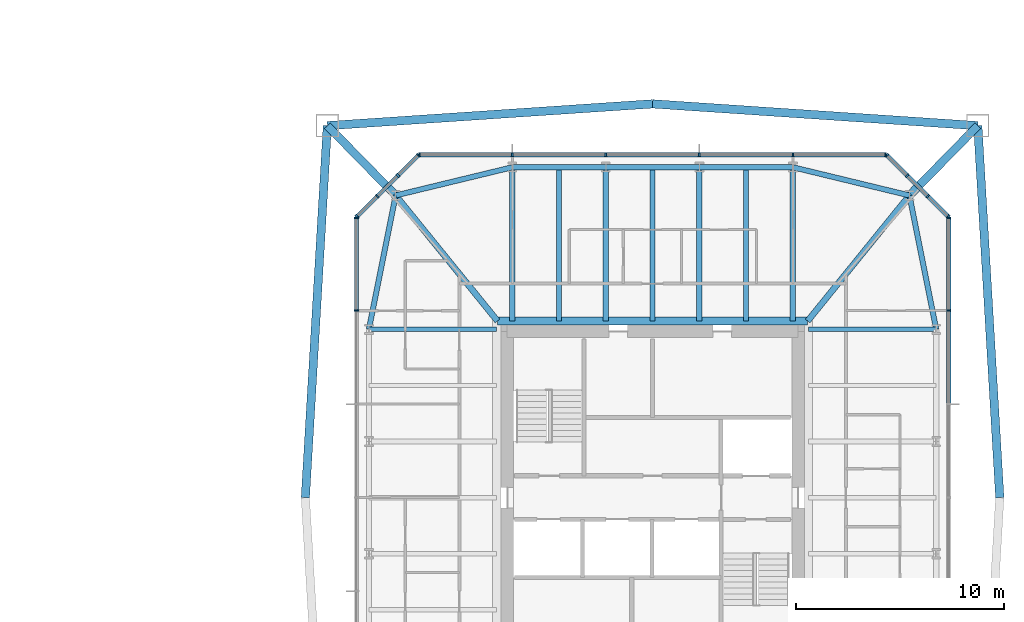
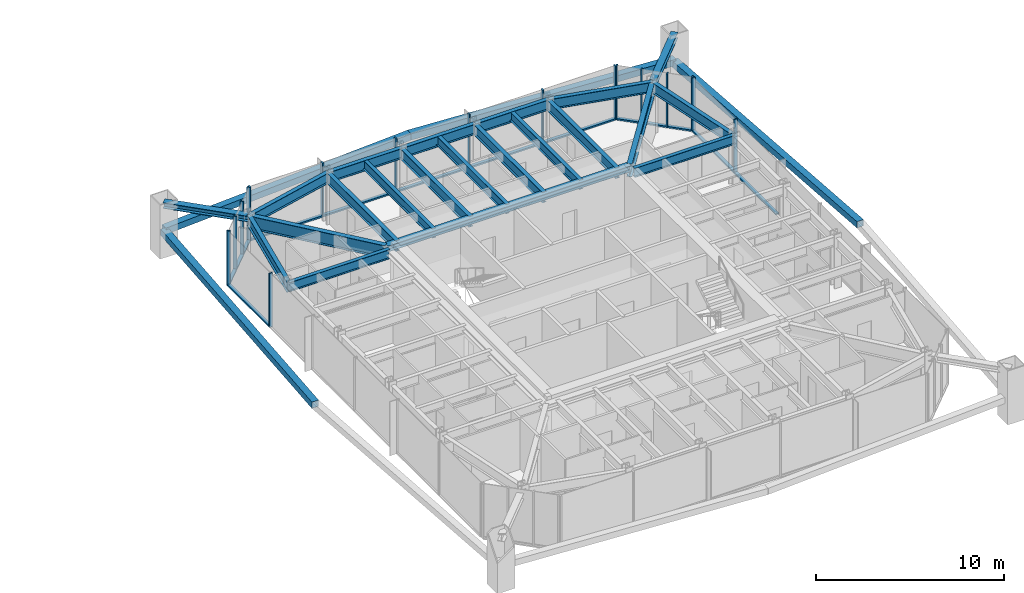
# One storey, part 10 of 25: 38 members, 19 beams, 5 elements without a shape of their own.
"""IFC4 building model written with IfcOpenShell, lengths in metres."""

from ifc_helpers import new_model, si_unit, direction, frame, origin, origin_2d, place, context, subcontext, project, spatial, rectangle, hollow_rectangle, i_section, extrude, material, material_profile, profile_set, type_object, element, aggregate, save


model = new_model("IFC4")

# Units and contexts
model_context = context("Model", 3, precision=1e-05, world=origin(), true_north=direction((0.0, 1.0)))
body_context = subcontext(model_context, "Body", "Model", "MODEL_VIEW")
ifc_project = project(units=[si_unit("LENGTHUNIT", "METRE"), si_unit("AREAUNIT", "SQUARE_METRE"), si_unit("VOLUMEUNIT", "CUBIC_METRE"), si_unit("PLANEANGLEUNIT", "RADIAN"), si_unit("MASSUNIT", "GRAM", prefix="KILO")], contexts=[model_context])

# Site, building, storey
site_placement = place(None, origin())
site = spatial("IfcSite", under=ifc_project, at=site_placement, CompositionType="ELEMENT")
building_placement = place(site_placement, origin())
building = spatial("IfcBuilding", under=site, at=building_placement, Name="Iwan Alto Co-Living Towers", CompositionType="ELEMENT")
storey_placement = place(building_placement, frame((0.0, 0.0, 87.5)))
storey = spatial("IfcBuildingStorey", under=building, at=storey_placement, Name="L23", CompositionType="ELEMENT", Elevation=87.5)

# Curtain wall, members
ifc_material_1 = material(Name="Bronze aluminium unitised frame", Category="aluminium")
curtain_wall_type_1 = type_object("IfcCurtainWallType", Name="CURTAIN WALL CW-C", PredefinedType="NOTDEFINED", material=ifc_material_1)
curtain_wall_1_placement = place(storey_placement, origin())
curtain_wall_1 = element("IfcCurtainWall", 1, at=curtain_wall_1_placement, inside=storey, type_object=curtain_wall_type_1, Name="T2 curtain wall E L23", PredefinedType="NOTDEFINED")
ifc_material_2 = material(Name="Aluminium 6063-T6 bronze anodised", Category="aluminium")
ifc_material_profile_1 = material_profile(ifc_material_2, rectangle(XDim=0.199951171875, YDim=0.080078125, at=origin_2d()), Name="AL 80X200")
ifc_profile_set_1 = profile_set([ifc_material_profile_1], Name="Aluminium 6063-T6 bronze anodised")
member_type_1 = type_object("IfcMemberType", Name="CW-C MULLION 80X200", PredefinedType="MULLION", material=ifc_profile_set_1)
member_1_placement = place(storey_placement, frame((77.25, 9.0, 0.0), z_axis=(0.0, 0.0, 1.0), x_axis=(-1.0, 0.0, 0.0)))
member_1 = element("IfcMember", 2, at=member_1_placement, type_object=member_type_1, Name="CW-C mullion 6", PredefinedType="MULLION", context=body_context, shape_type="SweptSolid", body=[
    extrude(rectangle(XDim=0.199951171875, YDim=0.080078125, at=origin_2d()), origin(), (0.0, 0.0, 1.0), 3.5),
])
member_2_placement = place(storey_placement, frame((77.25, 13.4599609375, 0.0), z_axis=(0.0, 0.0, 1.0), x_axis=(-1.0, 0.0, 0.0)))
member_2 = element("IfcMember", 3, at=member_2_placement, type_object=member_type_1, Name="CW-C mullion 7", PredefinedType="MULLION", context=body_context, shape_type="SweptSolid", body=[
    extrude(rectangle(XDim=0.199951171875, YDim=0.080078125, at=origin_2d()), origin(), (0.0, 0.0, 1.0), 3.5),
])

curtain_wall_2_placement = place(storey_placement, origin())
curtain_wall_2 = element("IfcCurtainWall", 4, at=curtain_wall_2_placement, inside=storey, type_object=curtain_wall_type_1, Name="T2 curtain wall N L23", PredefinedType="NOTDEFINED")
member_3_placement = place(storey_placement, frame((74.2099609375, 16.5, 0.0), z_axis=(0.0, 0.0, 1.0), x_axis=(0.0, -1.0, 0.0)))
member_3 = element("IfcMember", 5, at=member_3_placement, type_object=member_type_1, Name="CW-C mullion 1", PredefinedType="MULLION", context=body_context, shape_type="SweptSolid", body=[
    extrude(rectangle(XDim=0.199951171875, YDim=0.080078125, at=origin_2d()), origin(), (0.0, 0.0, 1.0), 3.5),
])
member_4_placement = place(storey_placement, frame((69.75, 16.5, 0.0), z_axis=(0.0, 0.0, 1.0), x_axis=(0.0, -1.0, 0.0)))
member_4 = element("IfcMember", 6, at=member_4_placement, type_object=member_type_1, Name="CW-C mullion 2", PredefinedType="MULLION", context=body_context, shape_type="SweptSolid", body=[
    extrude(rectangle(XDim=0.199951171875, YDim=0.080078125, at=origin_2d()), origin(), (0.0, 0.0, 1.0), 3.5),
])
member_5_placement = place(storey_placement, frame((65.25, 16.5, 0.0), z_axis=(0.0, 0.0, 1.0), x_axis=(0.0, -1.0, 0.0)))
member_5 = element("IfcMember", 7, at=member_5_placement, type_object=member_type_1, Name="CW-C mullion 3", PredefinedType="MULLION", context=body_context, shape_type="SweptSolid", body=[
    extrude(rectangle(XDim=0.199951171875, YDim=0.080078125, at=origin_2d()), origin(), (0.0, 0.0, 1.0), 3.5),
])
member_6_placement = place(storey_placement, frame((60.75, 16.5, 0.0), z_axis=(0.0, 0.0, 1.0), x_axis=(0.0, -1.0, 0.0)))
member_6 = element("IfcMember", 8, at=member_6_placement, type_object=member_type_1, Name="CW-C mullion 4", PredefinedType="MULLION", context=body_context, shape_type="SweptSolid", body=[
    extrude(rectangle(XDim=0.199951171875, YDim=0.080078125, at=origin_2d()), origin(), (0.0, 0.0, 1.0), 3.5),
])
member_7_placement = place(storey_placement, frame((56.25, 16.5, 0.0), z_axis=(0.0, 0.0, 1.0), x_axis=(0.0, -1.0, 0.0)))
member_7 = element("IfcMember", 9, at=member_7_placement, type_object=member_type_1, Name="CW-C mullion 5", PredefinedType="MULLION", context=body_context, shape_type="SweptSolid", body=[
    extrude(rectangle(XDim=0.199951171875, YDim=0.080078125, at=origin_2d()), origin(), (0.0, 0.0, 1.0), 3.5),
])
member_8_placement = place(storey_placement, frame((51.7900390625, 16.5, 0.0), z_axis=(0.0, 0.0, 1.0), x_axis=(0.0, -1.0, 0.0)))
member_8 = element("IfcMember", 10, at=member_8_placement, type_object=member_type_1, Name="CW-C mullion 6", PredefinedType="MULLION", context=body_context, shape_type="SweptSolid", body=[
    extrude(rectangle(XDim=0.199951171875, YDim=0.080078125, at=origin_2d()), origin(), (0.0, 0.0, 1.0), 3.5),
])

curtain_wall_3_placement = place(storey_placement, origin())
curtain_wall_3 = element("IfcCurtainWall", 11, at=curtain_wall_3_placement, inside=storey, type_object=curtain_wall_type_1, Name="T2 curtain wall W L23", PredefinedType="NOTDEFINED")
member_9_placement = place(storey_placement, frame((48.75, 13.4599609375, 0.0), z_axis=(0.0, 0.0, 1.0), x_axis=(1.0, 0.0, 0.0)))
member_9 = element("IfcMember", 12, at=member_9_placement, type_object=member_type_1, Name="CW-C mullion 1", PredefinedType="MULLION", context=body_context, shape_type="SweptSolid", body=[
    extrude(rectangle(XDim=0.199951171875, YDim=0.080078125, at=origin_2d()), origin(), (0.0, 0.0, 1.0), 3.5),
])
member_10_placement = place(storey_placement, frame((48.75, 9.0, 0.0), z_axis=(0.0, 0.0, 1.0), x_axis=(1.0, 0.0, 0.0)))
member_10 = element("IfcMember", 13, at=member_10_placement, type_object=member_type_1, Name="CW-C mullion 2", PredefinedType="MULLION", context=body_context, shape_type="SweptSolid", body=[
    extrude(rectangle(XDim=0.199951171875, YDim=0.080078125, at=origin_2d()), origin(), (0.0, 0.0, 1.0), 3.5),
])

# Member
ifc_material_3 = material(Name="Aluminium 6063-T6 bronze anodised", Category="aluminium")
ifc_material_profile_2 = material_profile(ifc_material_3, rectangle(XDim=0.199951171875, YDim=0.10009765625, at=origin_2d()), Name="AL 200X100")
ifc_profile_set_2 = profile_set([ifc_material_profile_2], Name="Aluminium 6063-T6 bronze anodised")
member_type_2 = type_object("IfcMemberType", Name="CW-C TRANSOM 200X100", PredefinedType="USERDEFINED", material=ifc_profile_set_2)
member_11_placement = place(storey_placement, frame((77.25, 4.5400390625, 0.050048828125), z_axis=(0.0, 1.0, 0.0), x_axis=(-1.0, 0.0, 0.0)))
member_11 = element("IfcMember", 14, at=member_11_placement, type_object=member_type_2, Name="CW-C transom 5.1", ObjectType="TRANSOM", PredefinedType="USERDEFINED", context=body_context, shape_type="SweptSolid", body=[
    extrude(rectangle(XDim=0.199951171875, YDim=0.10009765625, at=origin_2d()), origin(), (0.0, 0.0, 1.0), 4.419921875),
])

member_12_placement = place(storey_placement, frame((77.25, 9.0400390625, 0.050048828125), z_axis=(0.0, 1.0, 0.0), x_axis=(-1.0, 0.0, 0.0)))
member_12 = element("IfcMember", 15, at=member_12_placement, type_object=member_type_2, Name="CW-C transom 6.1", ObjectType="TRANSOM", PredefinedType="USERDEFINED", context=body_context, shape_type="SweptSolid", body=[
    extrude(rectangle(XDim=0.199951171875, YDim=0.10009765625, at=origin_2d()), origin(), (0.0, 0.0, 1.0), 4.3798828125),
])

aggregate(curtain_wall_1, [member_1, member_2, member_11, member_12])

member_13_placement = place(storey_placement, frame((74.169921875, 16.5, 0.050048828125), z_axis=(-1.0, 0.0, 0.0), x_axis=(0.0, -1.0, 0.0)))
member_13 = element("IfcMember", 16, at=member_13_placement, type_object=member_type_2, Name="CW-C transom 1.1", ObjectType="TRANSOM", PredefinedType="USERDEFINED", context=body_context, shape_type="SweptSolid", body=[
    extrude(rectangle(XDim=0.199951171875, YDim=0.10009765625, at=origin_2d()), origin(), (0.0, 0.0, 1.0), 4.3798828125),
])

member_14_placement = place(storey_placement, frame((69.7099609375, 16.5, 0.050048828125), z_axis=(-1.0, 0.0, 0.0), x_axis=(0.0, -1.0, 0.0)))
member_14 = element("IfcMember", 17, at=member_14_placement, type_object=member_type_2, Name="CW-C transom 2.1", ObjectType="TRANSOM", PredefinedType="USERDEFINED", context=body_context, shape_type="SweptSolid", body=[
    extrude(rectangle(XDim=0.199951171875, YDim=0.10009765625, at=origin_2d()), origin(), (0.0, 0.0, 1.0), 4.419921875),
])

member_15_placement = place(storey_placement, frame((65.2099609375, 16.5, 0.050048828125), z_axis=(-1.0, 0.0, 0.0), x_axis=(0.0, -1.0, 0.0)))
member_15 = element("IfcMember", 18, at=member_15_placement, type_object=member_type_2, Name="CW-C transom 3.1", ObjectType="TRANSOM", PredefinedType="USERDEFINED", context=body_context, shape_type="SweptSolid", body=[
    extrude(rectangle(XDim=0.199951171875, YDim=0.10009765625, at=origin_2d()), origin(), (0.0, 0.0, 1.0), 4.419921875),
])

member_16_placement = place(storey_placement, frame((60.7099609375, 16.5, 0.050048828125), z_axis=(-1.0, 0.0, 0.0), x_axis=(0.0, -1.0, 0.0)))
member_16 = element("IfcMember", 19, at=member_16_placement, type_object=member_type_2, Name="CW-C transom 4.1", ObjectType="TRANSOM", PredefinedType="USERDEFINED", context=body_context, shape_type="SweptSolid", body=[
    extrude(rectangle(XDim=0.199951171875, YDim=0.10009765625, at=origin_2d()), origin(), (0.0, 0.0, 1.0), 4.419921875),
])

member_17_placement = place(storey_placement, frame((56.2099609375, 16.5, 0.050048828125), z_axis=(-1.0, 0.0, 0.0), x_axis=(0.0, -1.0, 0.0)))
member_17 = element("IfcMember", 20, at=member_17_placement, type_object=member_type_2, Name="CW-C transom 5.1", ObjectType="TRANSOM", PredefinedType="USERDEFINED", context=body_context, shape_type="SweptSolid", body=[
    extrude(rectangle(XDim=0.199951171875, YDim=0.10009765625, at=origin_2d()), origin(), (0.0, 0.0, 1.0), 4.3798828125),
])

aggregate(curtain_wall_2, [member_3, member_4, member_5, member_6, member_7, member_8, member_13, member_14, member_15, member_16, member_17])

member_18_placement = place(storey_placement, frame((48.75, 13.419921875, 0.050048828125), z_axis=(0.0, -1.0, 0.0), x_axis=(1.0, 0.0, 0.0)))
member_18 = element("IfcMember", 21, at=member_18_placement, type_object=member_type_2, Name="CW-C transom 1.1", ObjectType="TRANSOM", PredefinedType="USERDEFINED", context=body_context, shape_type="SweptSolid", body=[
    extrude(rectangle(XDim=0.199951171875, YDim=0.10009765625, at=origin_2d()), origin(), (0.0, 0.0, 1.0), 4.3798828125),
])

aggregate(curtain_wall_3, [member_9, member_10, member_18])

# Curtain wall, members
ifc_material_4 = material(Name="Bronze aluminium unitised frame", Category="aluminium")
curtain_wall_type_2 = type_object("IfcCurtainWallType", Name="CURTAIN WALL CW-D", PredefinedType="NOTDEFINED", material=ifc_material_4)
curtain_wall_4_placement = place(storey_placement, origin())
curtain_wall_4 = element("IfcCurtainWall", 22, at=curtain_wall_4_placement, inside=storey, type_object=curtain_wall_type_2, Name="T2 chamfer curtain wall NE L23", PredefinedType="NOTDEFINED")
ifc_material_5 = material(Name="Aluminium 6063-T6 bronze anodised", Category="aluminium")
ifc_material_profile_3 = material_profile(ifc_material_5, rectangle(XDim=0.199951171875, YDim=0.080078125, at=origin_2d()), Name="AL 80X200")
ifc_profile_set_3 = profile_set([ifc_material_profile_3], Name="Aluminium 6063-T6 bronze anodised")
member_type_3 = type_object("IfcMemberType", Name="CW-D MULLION 80X200", PredefinedType="MULLION", material=ifc_profile_set_3)
member_19_placement = place(storey_placement, frame((77.2216796875, 13.5283203125, 0.0), z_axis=(0.0, 0.0, 1.0), x_axis=(-0.707106781187, -0.707106781187, 0.0)))
member_19 = element("IfcMember", 23, at=member_19_placement, type_object=member_type_3, Name="CW-D mullion 1", PredefinedType="MULLION", context=body_context, shape_type="SweptSolid", body=[
    extrude(rectangle(XDim=0.199951171875, YDim=0.080078125, at=origin_2d()), origin(), (0.0, 0.0, 1.0), 3.5),
])
member_20_placement = place(storey_placement, frame((76.25, 14.5, 0.0), z_axis=(0.0, 0.0, 1.0), x_axis=(-0.707106781187, -0.707106781187, 0.0)))
member_20 = element("IfcMember", 24, at=member_20_placement, type_object=member_type_3, Name="CW-D mullion 2", PredefinedType="MULLION", context=body_context, shape_type="SweptSolid", body=[
    extrude(rectangle(XDim=0.199951171875, YDim=0.080078125, at=origin_2d()), origin(), (0.0, 0.0, 1.0), 3.5),
])
member_21_placement = place(storey_placement, frame((75.25, 15.5, 0.0), z_axis=(0.0, 0.0, 1.0), x_axis=(-0.707106781187, -0.707106781187, 0.0)))
member_21 = element("IfcMember", 25, at=member_21_placement, type_object=member_type_3, Name="CW-D mullion 3", PredefinedType="MULLION", context=body_context, shape_type="SweptSolid", body=[
    extrude(rectangle(XDim=0.199951171875, YDim=0.080078125, at=origin_2d()), origin(), (0.0, 0.0, 1.0), 3.5),
])
member_22_placement = place(storey_placement, frame((74.2783203125, 16.4716796875, 0.0), z_axis=(0.0, 0.0, 1.0), x_axis=(-0.707106781187, -0.707106781187, 0.0)))
member_22 = element("IfcMember", 26, at=member_22_placement, type_object=member_type_3, Name="CW-D mullion 4", PredefinedType="MULLION", context=body_context, shape_type="SweptSolid", body=[
    extrude(rectangle(XDim=0.199951171875, YDim=0.080078125, at=origin_2d()), origin(), (0.0, 0.0, 1.0), 3.5),
])

curtain_wall_5_placement = place(storey_placement, origin())
curtain_wall_5 = element("IfcCurtainWall", 27, at=curtain_wall_5_placement, inside=storey, type_object=curtain_wall_type_2, Name="T2 chamfer curtain wall NW L23", PredefinedType="NOTDEFINED")
member_23_placement = place(storey_placement, frame((51.7216796875, 16.4716796875, 0.0), z_axis=(0.0, 0.0, 1.0), x_axis=(0.707106781187, -0.707106781187, 0.0)))
member_23 = element("IfcMember", 28, at=member_23_placement, type_object=member_type_3, Name="CW-D mullion 1", PredefinedType="MULLION", context=body_context, shape_type="SweptSolid", body=[
    extrude(rectangle(XDim=0.199951171875, YDim=0.080078125, at=origin_2d()), origin(), (0.0, 0.0, 1.0), 3.5),
])
member_24_placement = place(storey_placement, frame((50.75, 15.5, 0.0), z_axis=(0.0, 0.0, 1.0), x_axis=(0.707106781187, -0.707106781187, 0.0)))
member_24 = element("IfcMember", 29, at=member_24_placement, type_object=member_type_3, Name="CW-D mullion 2", PredefinedType="MULLION", context=body_context, shape_type="SweptSolid", body=[
    extrude(rectangle(XDim=0.199951171875, YDim=0.080078125, at=origin_2d()), origin(), (0.0, 0.0, 1.0), 3.5),
])
member_25_placement = place(storey_placement, frame((49.75, 14.5, 0.0), z_axis=(0.0, 0.0, 1.0), x_axis=(0.707106781187, -0.707106781187, 0.0)))
member_25 = element("IfcMember", 30, at=member_25_placement, type_object=member_type_3, Name="CW-D mullion 3", PredefinedType="MULLION", context=body_context, shape_type="SweptSolid", body=[
    extrude(rectangle(XDim=0.199951171875, YDim=0.080078125, at=origin_2d()), origin(), (0.0, 0.0, 1.0), 3.5),
])
member_26_placement = place(storey_placement, frame((48.7783203125, 13.5283203125, 0.0), z_axis=(0.0, 0.0, 1.0), x_axis=(0.707106781187, -0.707106781187, 0.0)))
member_26 = element("IfcMember", 31, at=member_26_placement, type_object=member_type_3, Name="CW-D mullion 4", PredefinedType="MULLION", context=body_context, shape_type="SweptSolid", body=[
    extrude(rectangle(XDim=0.199951171875, YDim=0.080078125, at=origin_2d()), origin(), (0.0, 0.0, 1.0), 3.5),
])

# Member
ifc_material_6 = material(Name="Aluminium 6063-T6 bronze anodised", Category="aluminium")
ifc_material_profile_4 = material_profile(ifc_material_6, rectangle(XDim=0.199951171875, YDim=0.10009765625, at=origin_2d()), Name="AL 200X100")
ifc_profile_set_4 = profile_set([ifc_material_profile_4], Name="Aluminium 6063-T6 bronze anodised")
member_type_4 = type_object("IfcMemberType", Name="CW-D TRANSOM 200X100", PredefinedType="USERDEFINED", material=ifc_profile_set_4)
member_27_placement = place(storey_placement, frame((77.193359375, 13.556640625, 0.050048828125), z_axis=(-0.707106781187, 0.707106781187, 0.0), x_axis=(-0.707106781187, -0.707106781187, 0.0)))
member_27 = element("IfcMember", 32, at=member_27_placement, type_object=member_type_4, Name="CW-D transom 1.1", ObjectType="TRANSOM", PredefinedType="USERDEFINED", context=body_context, shape_type="SweptSolid", body=[
    extrude(rectangle(XDim=0.199951171875, YDim=0.10009765625, at=origin_2d()), origin(), (0.0, 0.0, 1.0), 1.2939453125),
])

member_28_placement = place(storey_placement, frame((76.2216796875, 14.5283203125, 0.050048828125), z_axis=(-0.707106781187, 0.707106781187, 0.0), x_axis=(-0.707106781187, -0.707106781187, 0.0)))
member_28 = element("IfcMember", 33, at=member_28_placement, type_object=member_type_4, Name="CW-D transom 2.1", ObjectType="TRANSOM", PredefinedType="USERDEFINED", context=body_context, shape_type="SweptSolid", body=[
    extrude(rectangle(XDim=0.199951171875, YDim=0.10009765625, at=origin_2d()), origin(), (0.0, 0.0, 1.0), 1.334228515625),
])

member_29_placement = place(storey_placement, frame((75.2216796875, 15.5283203125, 0.050048828125), z_axis=(-0.707106781187, 0.707106781187, 0.0), x_axis=(-0.707106781187, -0.707106781187, 0.0)))
member_29 = element("IfcMember", 34, at=member_29_placement, type_object=member_type_4, Name="CW-D transom 3.1", ObjectType="TRANSOM", PredefinedType="USERDEFINED", context=body_context, shape_type="SweptSolid", body=[
    extrude(rectangle(XDim=0.199951171875, YDim=0.10009765625, at=origin_2d()), origin(), (0.0, 0.0, 1.0), 1.2939453125),
])

aggregate(curtain_wall_4, [member_19, member_20, member_21, member_22, member_27, member_28, member_29])

member_30_placement = place(storey_placement, frame((51.693359375, 16.443359375, 0.050048828125), z_axis=(-0.707106781187, -0.707106781187, 0.0), x_axis=(0.707106781187, -0.707106781187, 0.0)))
member_30 = element("IfcMember", 35, at=member_30_placement, type_object=member_type_4, Name="CW-D transom 1.1", ObjectType="TRANSOM", PredefinedType="USERDEFINED", context=body_context, shape_type="SweptSolid", body=[
    extrude(rectangle(XDim=0.199951171875, YDim=0.10009765625, at=origin_2d()), origin(), (0.0, 0.0, 1.0), 1.2939453125),
])

member_31_placement = place(storey_placement, frame((50.7216796875, 15.4716796875, 0.050048828125), z_axis=(-0.707106781187, -0.707106781187, 0.0), x_axis=(0.707106781187, -0.707106781187, 0.0)))
member_31 = element("IfcMember", 36, at=member_31_placement, type_object=member_type_4, Name="CW-D transom 2.1", ObjectType="TRANSOM", PredefinedType="USERDEFINED", context=body_context, shape_type="SweptSolid", body=[
    extrude(rectangle(XDim=0.199951171875, YDim=0.10009765625, at=origin_2d()), origin(), (0.0, 0.0, 1.0), 1.334228515625),
])

member_32_placement = place(storey_placement, frame((49.7216796875, 14.4716796875, 0.050048828125), z_axis=(-0.707106781187, -0.707106781187, 0.0), x_axis=(0.707106781187, -0.707106781187, 0.0)))
member_32 = element("IfcMember", 37, at=member_32_placement, type_object=member_type_4, Name="CW-D transom 3.1", ObjectType="TRANSOM", PredefinedType="USERDEFINED", context=body_context, shape_type="SweptSolid", body=[
    extrude(rectangle(XDim=0.199951171875, YDim=0.10009765625, at=origin_2d()), origin(), (0.0, 0.0, 1.0), 1.2939453125),
])

aggregate(curtain_wall_5, [member_23, member_24, member_25, member_26, member_30, member_31, member_32])

# Beams
ifc_material_7 = material(Name="Steel ASTM A992 Gr 50", Category="steel")
ifc_material_profile_5 = material_profile(ifc_material_7, i_section(OverallWidth=0.398681640625, OverallDepth=0.385986328125, WebThickness=0.02099609375, FlangeThickness=0.033203125, at=origin_2d()), Name="W14X176")
ifc_profile_set_5 = profile_set([ifc_material_profile_5], Name="Steel ASTM A992 Gr 50")
beam_type_1 = type_object("IfcBeamType", Name="T2 CORE LEDGER BEAM W14X176", PredefinedType="BEAM", material=ifc_profile_set_5)
beam_1_placement = place(storey_placement, frame((70.461669921875, 8.49951171875, 3.076904296875), z_axis=(-1.0, 0.0, 0.0), x_axis=(0.0, -1.0, 0.0)))
element("IfcBeam", 38, at=beam_1_placement, inside=storey, type_object=beam_type_1, Name="T2 core ledger beam N L24", PredefinedType="BEAM", context=body_context, shape_type="SweptSolid", body=[
    extrude(i_section(OverallWidth=0.398681640625, OverallDepth=0.385986328125, WebThickness=0.02099609375, FlangeThickness=0.033203125, at=origin_2d()), origin(), (0.0, 0.0, 1.0), 14.92333984375),
])
ifc_material_8 = material(Name="Steel ASTM A992 Gr 50", Category="steel")
ifc_material_profile_6 = material_profile(ifc_material_8, i_section(OverallWidth=0.2919921875, OverallDepth=0.8408203125, WebThickness=0.0146484375, FlangeThickness=0.021728515625, at=origin_2d()), Name="W33X130")
ifc_profile_set_6 = profile_set([ifc_material_profile_6], Name="Steel ASTM A992 Gr 50")
beam_type_2 = type_object("IfcBeamType", Name="T2 CORNER GIRDER W33X130", PredefinedType="BEAM", material=ifc_profile_set_6)
for number, where, z_axis, x_axis, name in (
    (39, (75.361328125, 14.542724609375, 2.849609375), (-0.629783024592, -0.776771100091, 0.0), (0.776771100091, -0.629783024592, 0.0), "T2 corner girder CNE L24"),
    (40, (50.638671875, 14.542724609375, 2.849609375), (0.629783024592, -0.776771100091, 0.0), (0.776771100091, 0.629783024592, 0.0), "T2 corner girder CNW L24"),
):
    element("IfcBeam", number, at=place(storey_placement, frame(where, z_axis=z_axis, x_axis=x_axis)), inside=storey, type_object=beam_type_2, Name=name, PredefinedType="BEAM", context=body_context, shape_type="SweptSolid", body=[
        extrude(i_section(OverallWidth=0.2919921875, OverallDepth=0.8408203125, WebThickness=0.0146484375, FlangeThickness=0.021728515625, at=origin_2d()), origin(), (0.0, 0.0, 1.0), 7.780029296875),
    ])
ifc_material_9 = material(Name="Steel ASTM A992 Gr 50", Category="steel")
ifc_material_profile_7 = material_profile(ifc_material_9, i_section(OverallWidth=0.25390625, OverallDepth=0.683349609375, WebThickness=0.012451171875, FlangeThickness=0.018798828125, at=origin_2d()), Name="W27X94")
ifc_profile_set_7 = profile_set([ifc_material_profile_7], Name="Steel ASTM A992 Gr 50")
beam_type_3 = type_object("IfcBeamType", Name="T2 EDGE BEAM W27X94", PredefinedType="BEAM", material=ifc_profile_set_7)
beam_2_placement = place(storey_placement, frame((76.64990234375, 8.10009765625, 2.928466796875), z_axis=(-0.196123281025, 0.980579246487, 0.0), x_axis=(-0.980579246487, -0.196123281025, 0.0)))
element("IfcBeam", 41, at=beam_2_placement, inside=storey, type_object=beam_type_3, Name="T2 edge beam E4 L24", PredefinedType="BEAM", context=body_context, shape_type="SweptSolid", body=[
    extrude(i_section(OverallWidth=0.25390625, OverallDepth=0.683349609375, WebThickness=0.012451171875, FlangeThickness=0.018798828125, at=origin_2d()), origin(), (0.0, 0.0, 1.0), 6.5703125),
])
beam_3_placement = place(storey_placement, frame((75.361328125, 14.542724609375, 2.928466796875), z_axis=(-0.971974673138, 0.235085590323, 0.0), x_axis=(-0.235085590323, -0.971974673138, 0.0)))
element("IfcBeam", 42, at=beam_3_placement, inside=storey, type_object=beam_type_3, Name="T2 edge beam CNE L24", PredefinedType="BEAM", context=body_context, shape_type="SweptSolid", body=[
    extrude(i_section(OverallWidth=0.25390625, OverallDepth=0.683349609375, WebThickness=0.012451171875, FlangeThickness=0.018798828125, at=origin_2d()), origin(), (0.0, 0.0, 1.0), 5.773193359375),
])
for number, where, z_axis, x_axis, name in (
    (43, (69.75, 15.89990234375, 2.928466796875), (-1.0, 0.0, 0.0), (0.0, -1.0, 0.0), "T2 edge beam N1 L24"),
    (44, (65.25, 15.89990234375, 2.928466796875), (-1.0, 0.0, 0.0), (0.0, -1.0, 0.0), "T2 edge beam N2 L24"),
    (45, (60.75, 15.89990234375, 2.928466796875), (-1.0, 0.0, 0.0), (0.0, -1.0, 0.0), "T2 edge beam N3 L24"),
):
    element("IfcBeam", number, at=place(storey_placement, frame(where, z_axis=z_axis, x_axis=x_axis)), inside=storey, type_object=beam_type_3, Name=name, PredefinedType="BEAM", context=body_context, shape_type="SweptSolid", body=[
        extrude(i_section(OverallWidth=0.25390625, OverallDepth=0.683349609375, WebThickness=0.012451171875, FlangeThickness=0.018798828125, at=origin_2d()), origin(), (0.0, 0.0, 1.0), 4.5),
    ])
beam_4_placement = place(storey_placement, frame((56.25, 15.89990234375, 2.928466796875), z_axis=(-0.971974673138, -0.235085590323, 0.0), x_axis=(0.235085590323, -0.971974673138, 0.0)))
element("IfcBeam", 46, at=beam_4_placement, inside=storey, type_object=beam_type_3, Name="T2 edge beam N4 L24", PredefinedType="BEAM", context=body_context, shape_type="SweptSolid", body=[
    extrude(i_section(OverallWidth=0.25390625, OverallDepth=0.683349609375, WebThickness=0.012451171875, FlangeThickness=0.018798828125, at=origin_2d()), origin(), (0.0, 0.0, 1.0), 5.773193359375),
])
beam_5_placement = place(storey_placement, frame((50.638671875, 14.542724609375, 2.928466796875), z_axis=(-0.196123281025, -0.980579246487, 0.0), x_axis=(0.980579246487, -0.196123281025, 0.0)))
element("IfcBeam", 47, at=beam_5_placement, inside=storey, type_object=beam_type_3, Name="T2 edge beam CNW L24", PredefinedType="BEAM", context=body_context, shape_type="SweptSolid", body=[
    extrude(i_section(OverallWidth=0.25390625, OverallDepth=0.683349609375, WebThickness=0.012451171875, FlangeThickness=0.018798828125, at=origin_2d()), origin(), (0.0, 0.0, 1.0), 6.5703125),
])

# Members
ifc_material_10 = material(Name="Steel ASTM A992 Gr 50", Category="steel")
ifc_material_profile_8 = material_profile(ifc_material_10, i_section(OverallWidth=0.393798828125, OverallDepth=0.3759765625, WebThickness=0.017333984375, FlangeThickness=0.027587890625, at=origin_2d()), Name="W14X145")
ifc_profile_set_8 = profile_set([ifc_material_profile_8], Name="Steel ASTM A992 Gr 50")
member_type_5 = type_object("IfcMemberType", Name="T2 MEGA COLUMN FLOOR TIE W14X145", PredefinedType="STRUT", material=ifc_profile_set_8)
for number, where, z_axis, x_axis, name in (
    (48, (78.64990234375, 17.89990234375, 3.08203125), (-0.699770096147, -0.714368121166, 0.0), (0.714368121166, -0.699770096147, 0.0), "T2 mega column floor tie NE L24"),
    (49, (47.35009765625, 17.89990234375, 3.08203125), (0.699770096147, -0.714368121166, 0.0), (0.714368121166, 0.699770096147, 0.0), "T2 mega column floor tie NW L24"),
):
    element("IfcMember", number, at=place(storey_placement, frame(where, z_axis=z_axis, x_axis=x_axis)), inside=storey, type_object=member_type_5, Name=name, PredefinedType="STRUT", context=body_context, shape_type="SweptSolid", body=[
        extrude(i_section(OverallWidth=0.393798828125, OverallDepth=0.3759765625, WebThickness=0.017333984375, FlangeThickness=0.027587890625, at=origin_2d()), origin(), (0.0, 0.0, 1.0), 4.699462890625),
    ])
ifc_material_11 = material(Name="Steel ASTM A500 Gr C", Category="steel")
ifc_material_profile_9 = material_profile(ifc_material_11, hollow_rectangle(XDim=0.406494140625, YDim=0.406494140625, WallThickness=0.0146484375, at=origin_2d()), Name="HSS16X16X5/8")
ifc_profile_set_9 = profile_set([ifc_material_profile_9], Name="Steel ASTM A500 Gr C")
member_type_6 = type_object("IfcMemberType", Name="T2 MEGA TIE HSS16X16X5/8", PredefinedType="STRUT", material=ifc_profile_set_9)
member_33_placement = place(storey_placement, frame((79.70849609375, 0.0, 1.29833984375), z_axis=(-0.059036488436, 0.998255825444, 0.0), x_axis=(-0.998255825444, -0.059036488436, 0.0)))
element("IfcMember", 50, at=member_33_placement, inside=storey, type_object=member_type_6, Name="T2 mega tie Z2A E 2", PredefinedType="STRUT", context=body_context, shape_type="SweptSolid", body=[
    extrude(hollow_rectangle(XDim=0.406494140625, YDim=0.406494140625, WallThickness=0.0146484375, at=origin_2d()), origin(), (0.0, 0.0, 1.0), 17.93115234375),
])
for number, where, z_axis, x_axis, name in (
    (51, (78.64990234375, 17.89990234375, 1.4052734375), (-0.997758701258, 0.066914677494, 0.0), (-0.066914677494, -0.997758701258, 0.0), "T2 mega tie Z2A N 1"),
    (52, (63.0, 18.949462890625, 1.4052734375), (-0.997758701258, -0.066914677494, 0.0), (0.066914677494, -0.997758701258, 0.0), "T2 mega tie Z2A N 2"),
):
    element("IfcMember", number, at=place(storey_placement, frame(where, z_axis=z_axis, x_axis=x_axis)), inside=storey, type_object=member_type_6, Name=name, PredefinedType="STRUT", context=body_context, shape_type="SweptSolid", body=[
        extrude(hollow_rectangle(XDim=0.406494140625, YDim=0.406494140625, WallThickness=0.0146484375, at=origin_2d()), origin(), (0.0, 0.0, 1.0), 15.68505859375),
    ])
member_34_placement = place(storey_placement, frame((47.35009765625, 17.89990234375, 1.29833984375), z_axis=(-0.059036488436, -0.998255825444, 0.0), x_axis=(0.998255825444, -0.059036488436, 0.0)))
element("IfcMember", 53, at=member_34_placement, inside=storey, type_object=member_type_6, Name="T2 mega tie Z2A W 1", PredefinedType="STRUT", context=body_context, shape_type="SweptSolid", body=[
    extrude(hollow_rectangle(XDim=0.406494140625, YDim=0.406494140625, WallThickness=0.0146484375, at=origin_2d()), origin(), (0.0, 0.0, 1.0), 17.93115234375),
])

# Beams
ifc_material_12 = material(Name="Steel ASTM A992 Gr 50", Category="steel")
ifc_material_profile_10 = material_profile(ifc_material_12, i_section(OverallWidth=0.228271484375, OverallDepth=0.607177734375, WebThickness=0.01123046875, FlangeThickness=0.017333984375, at=origin_2d()), Name="W24X76")
ifc_profile_set_10 = profile_set([ifc_material_profile_10], Name="Steel ASTM A992 Gr 50")
beam_type_4 = type_object("IfcBeamType", Name="T2 RADIAL BEAM W24X76", PredefinedType="BEAM", material=ifc_profile_set_10)
for number, where, z_axis, x_axis, name in (
    (54, (76.64990234375, 8.10009765625, 2.966552734375), (-1.0, 0.0, 0.0), (0.0, -1.0, 0.0), "T2 radial beam E4 L24"),
    (55, (49.35009765625, 8.10009765625, 2.966552734375), (1.0, 0.0, 0.0), (0.0, 1.0, 0.0), "T2 radial beam W1 L24"),
):
    element("IfcBeam", number, at=place(storey_placement, frame(where, z_axis=z_axis, x_axis=x_axis)), inside=storey, type_object=beam_type_4, Name=name, PredefinedType="BEAM", context=body_context, shape_type="SweptSolid", body=[
        extrude(i_section(OverallWidth=0.228271484375, OverallDepth=0.607177734375, WebThickness=0.01123046875, FlangeThickness=0.017333984375, at=origin_2d()), origin(), (0.0, 0.0, 1.0), 6.150390625),
    ])
ifc_material_13 = material(Name="Steel ASTM A992 Gr 50", Category="steel")
ifc_material_profile_11 = material_profile(ifc_material_13, i_section(OverallWidth=0.25390625, OverallDepth=0.683349609375, WebThickness=0.012451171875, FlangeThickness=0.018798828125, at=origin_2d()), Name="W27X94")
ifc_profile_set_11 = profile_set([ifc_material_profile_11], Name="Steel ASTM A992 Gr 50")
beam_type_5 = type_object("IfcBeamType", Name="T2 RADIAL BEAM W27X94", PredefinedType="BEAM", material=ifc_profile_set_11)
for number, where, z_axis, x_axis, name in (
    (56, (69.75, 15.89990234375, 2.928466796875), (0.0, -1.0, 0.0), (1.0, 0.0, 0.0), "T2 radial beam N1 L24"),
    (57, (65.25, 15.89990234375, 2.928466796875), (0.0, -1.0, 0.0), (1.0, 0.0, 0.0), "T2 radial beam N2 L24"),
    (58, (60.75, 15.89990234375, 2.928466796875), (0.0, -1.0, 0.0), (1.0, 0.0, 0.0), "T2 radial beam N3 L24"),
    (59, (56.25, 15.89990234375, 2.928466796875), (0.0, -1.0, 0.0), (1.0, 0.0, 0.0), "T2 radial beam N4 L24"),
):
    element("IfcBeam", number, at=place(storey_placement, frame(where, z_axis=z_axis, x_axis=x_axis)), inside=storey, type_object=beam_type_5, Name=name, PredefinedType="BEAM", context=body_context, shape_type="SweptSolid", body=[
        extrude(i_section(OverallWidth=0.25390625, OverallDepth=0.683349609375, WebThickness=0.012451171875, FlangeThickness=0.018798828125, at=origin_2d()), origin(), (0.0, 0.0, 1.0), 7.400390625),
    ])
ifc_material_14 = material(Name="Steel ASTM A992 Gr 50", Category="steel")
ifc_material_profile_12 = material_profile(ifc_material_14, i_section(OverallWidth=0.228271484375, OverallDepth=0.607177734375, WebThickness=0.01123046875, FlangeThickness=0.017333984375, at=origin_2d()), Name="W24X76")
ifc_profile_set_12 = profile_set([ifc_material_profile_12], Name="Steel ASTM A992 Gr 50")
beam_type_6 = type_object("IfcBeamType", Name="T2 SECONDARY BEAM W24X76", PredefinedType="JOIST", material=ifc_profile_set_12)
for number, where, z_axis, x_axis, name in (
    (60, (67.5, 15.89990234375, 2.966552734375), (0.0, -1.0, 0.0), (1.0, 0.0, 0.0), "T2 secondary beam N1 L24"),
    (61, (63.0, 15.89990234375, 2.966552734375), (0.0, -1.0, 0.0), (1.0, 0.0, 0.0), "T2 secondary beam N2 L24"),
    (62, (58.5, 15.89990234375, 2.966552734375), (0.0, -1.0, 0.0), (1.0, 0.0, 0.0), "T2 secondary beam N3 L24"),
):
    element("IfcBeam", number, at=place(storey_placement, frame(where, z_axis=z_axis, x_axis=x_axis)), inside=storey, type_object=beam_type_6, Name=name, PredefinedType="JOIST", context=body_context, shape_type="SweptSolid", body=[
        extrude(i_section(OverallWidth=0.228271484375, OverallDepth=0.607177734375, WebThickness=0.01123046875, FlangeThickness=0.017333984375, at=origin_2d()), origin(), (0.0, 0.0, 1.0), 7.400390625),
    ])

save(model, "model.ifc")
